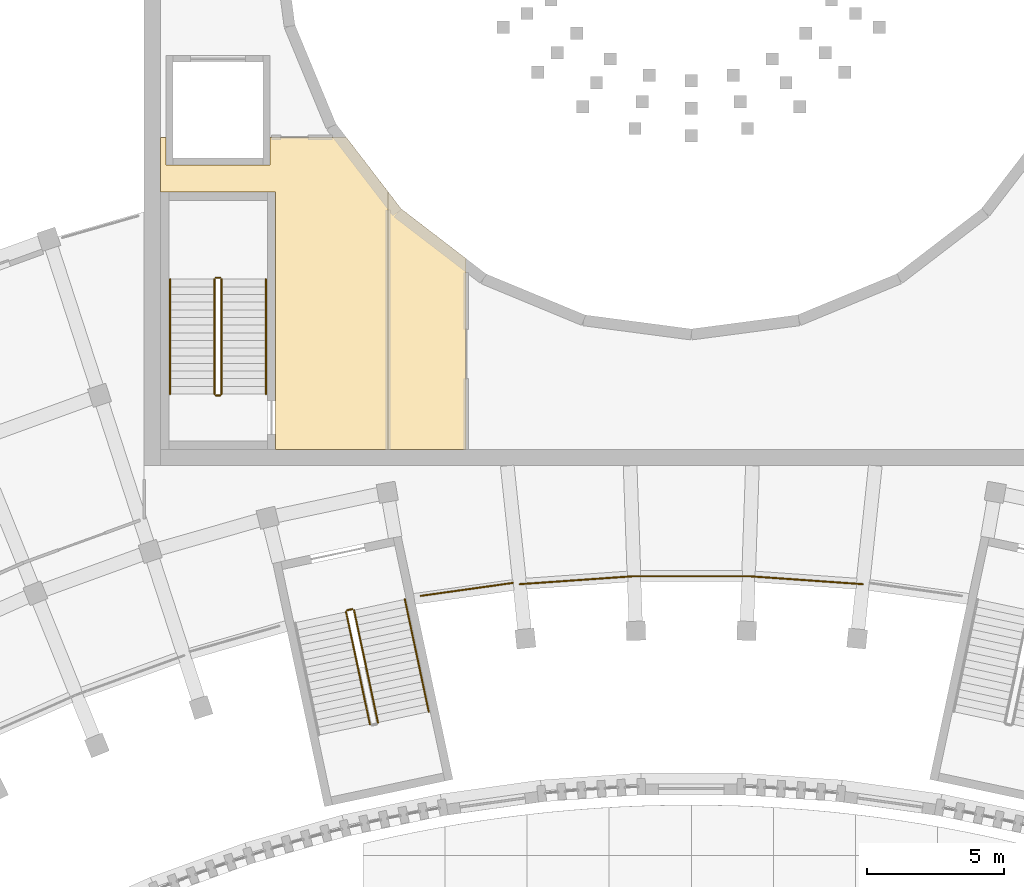
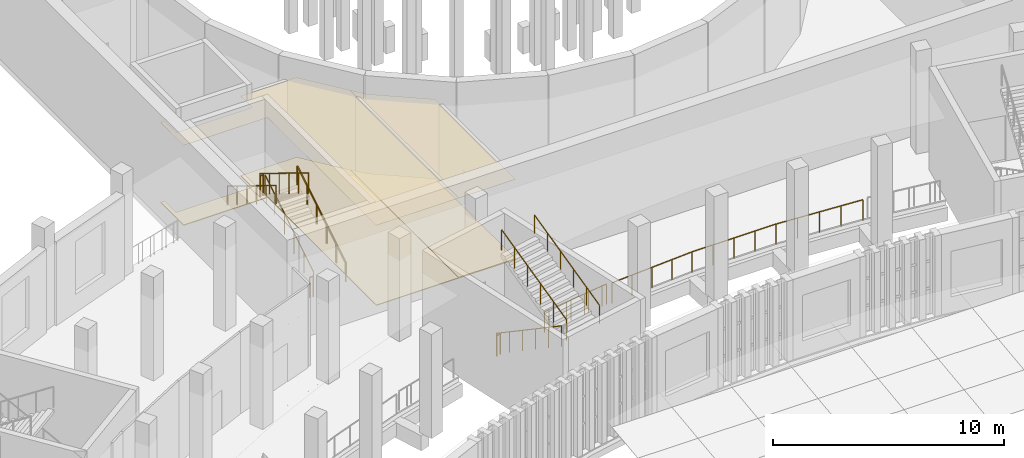
# One storey, part 84 of 112: 12 railings, 4 coverings.
"""IFC4 building model written with IfcOpenShell, lengths in metres."""

from ifc_helpers import new_model, si_unit, direction, frame, origin, origin_2d, place, context, subcontext, project, spatial, polyline, circle, outline, extrude, material, layer, layer_set, type_object, element, save


model = new_model("IFC4")

# Units and contexts
model_context = context("Model", 3, precision=1e-05, world=origin(), true_north=direction((0.0, 1.0)))
body_context = subcontext(model_context, "Body", "Model", "MODEL_VIEW")
ifc_project = project(units=[si_unit("LENGTHUNIT", "METRE"), si_unit("AREAUNIT", "SQUARE_METRE"), si_unit("VOLUMEUNIT", "CUBIC_METRE"), si_unit("PLANEANGLEUNIT", "RADIAN"), si_unit("MASSUNIT", "GRAM", prefix="KILO")], contexts=[model_context])

# Site, building, storey
site_placement = place(None, origin())
site = spatial("IfcSite", under=ifc_project, at=site_placement, CompositionType="ELEMENT")
building_placement = place(site_placement, origin())
building = spatial("IfcBuilding", under=site, at=building_placement, Name="Lunette Opera House", CompositionType="ELEMENT")
storey_placement = place(building_placement, frame((0.0, 0.0, 6.0)))
storey = spatial("IfcBuildingStorey", under=building, at=storey_placement, Name="L01", CompositionType="ELEMENT", Elevation=6.0)

# Railings
ifc_material_1 = material(Name="Steel S355", Category="steel")
railing_type_1 = type_object("IfcRailingType", Name="DECK GUARD 1100", PredefinedType="GUARDRAIL", material=ifc_material_1)
railing_1_placement = place(storey_placement, frame((86.114013671875, 59.243896484375, 0.0)))
element("IfcRailing", 1, at=railing_1_placement, inside=storey, type_object=railing_type_1, Name="Deck guard 013", PredefinedType="GUARDRAIL", context=body_context, shape_type="SweptSolid", body=[
    extrude(circle(Radius=0.02392578125, at=origin_2d()), frame((0.0, 0.0, 1.076171875), z_axis=(0.990009831154, 0.140998348282, 0.0), x_axis=(-0.140998348282, 0.990009831154, 0.0)), (0.0, 0.0, 1.0), 0.242431640625),
    extrude(circle(Radius=0.02392578125, at=origin_2d()), frame((0.239990234375, 0.0341796875, 1.076171875), z_axis=(0.990700927753, 0.136057604524, 0.0), x_axis=(-0.136057604524, 0.990700927753, 0.0)), (0.0, 0.0, 1.0), 0.2421875),
    extrude(circle(Radius=0.02392578125, at=origin_2d()), frame((0.47998046875, 0.067138671875, 1.076171875), z_axis=(0.99012974229, 0.140153820615, 0.0), x_axis=(-0.140153820615, 0.99012974229, 0.0)), (0.0, 0.0, 1.0), 0.72802734375),
    extrude(circle(Radius=0.02392578125, at=origin_2d()), frame((1.200927734375, 0.169189453125, 1.076171875), z_axis=(0.990700927753, 0.136057604524, 0.0), x_axis=(-0.136057604524, 0.990700927753, 0.0)), (0.0, 0.0, 1.0), 0.2421875),
    extrude(circle(Radius=0.02392578125, at=origin_2d()), frame((1.44091796875, 0.2021484375, 1.076171875), z_axis=(0.99012974229, 0.140153820615, 0.0), x_axis=(-0.140153820615, 0.99012974229, 0.0)), (0.0, 0.0, 1.0), 0.72802734375),
    extrude(circle(Radius=0.02392578125, at=origin_2d()), frame((2.161865234375, 0.30419921875, 1.076171875), z_axis=(0.990719556542, 0.135921890379, 0.0), x_axis=(-0.135921890379, 0.990719556542, 0.0)), (0.0, 0.0, 1.0), 0.242431640625),
    extrude(circle(Radius=0.02392578125, at=origin_2d()), frame((2.402099609375, 0.337158203125, 1.076171875), z_axis=(0.9901033447, 0.140340182463, 0.0), x_axis=(-0.140340182463, 0.9901033447, 0.0)), (0.0, 0.0, 1.0), 0.72705078125),
    extrude(circle(Radius=0.02392578125, at=origin_2d()), frame((3.1220703125, 0.439208984375, 1.076171875), z_axis=(0.990775109816, 0.135516352406, 0.0), x_axis=(-0.135516352406, 0.990775109816, 0.0)), (0.0, 0.0, 1.0), 0.2431640625),
    extrude(circle(Radius=0.02099609375, at=origin_2d()), origin(), (0.0, 0.0, 1.0), 1.052001953125),
    extrude(circle(Radius=0.02099609375, at=origin_2d()), frame((0.239990234375, 0.0341796875, 0.0)), (0.0, 0.0, 1.0), 1.052001953125),
    extrude(circle(Radius=0.02099609375, at=origin_2d()), frame((0.47998046875, 0.067138671875, 0.0)), (0.0, 0.0, 1.0), 1.052001953125),
    extrude(circle(Radius=0.02099609375, at=origin_2d()), frame((1.200927734375, 0.169189453125, 0.0)), (0.0, 0.0, 1.0), 1.052001953125),
    extrude(circle(Radius=0.02099609375, at=origin_2d()), frame((1.44091796875, 0.2021484375, 0.0)), (0.0, 0.0, 1.0), 1.052001953125),
    extrude(circle(Radius=0.02099609375, at=origin_2d()), frame((2.161865234375, 0.30419921875, 0.0)), (0.0, 0.0, 1.0), 1.052001953125),
    extrude(circle(Radius=0.02099609375, at=origin_2d()), frame((2.402099609375, 0.337158203125, 0.0)), (0.0, 0.0, 1.0), 1.052001953125),
    extrude(circle(Radius=0.02099609375, at=origin_2d()), frame((3.1220703125, 0.439208984375, 0.0)), (0.0, 0.0, 1.0), 1.052001953125),
    extrude(circle(Radius=0.02099609375, at=origin_2d()), frame((3.363037109375, 0.47216796875, 0.0)), (0.0, 0.0, 1.0), 1.052001953125),
])
ifc_material_2 = material(Name="Steel S355", Category="steel")
railing_type_2 = type_object("IfcRailingType", Name="OPENING GUARD 1100", PredefinedType="GUARDRAIL", material=ifc_material_2)
railing_2_placement = place(storey_placement, frame((102.27197265625, 59.6708984375, 0.0)))
element("IfcRailing", 2, at=railing_2_placement, inside=storey, type_object=railing_type_2, Name="Floor opening guard", PredefinedType="GUARDRAIL", context=body_context, shape_type="SweptSolid", body=[
    extrude(circle(Radius=0.02392578125, at=origin_2d()), frame((0.0, 0.0, 1.076171875), z_axis=(-0.997566716749, 0.069718330698, 0.0), x_axis=(-0.069718330698, -0.997566716749, 0.0)), (0.0, 0.0, 1.0), 4.188232421875),
    extrude(circle(Radius=0.02392578125, at=origin_2d()), frame((-4.177978515625, 0.2919921875, 1.076171875), z_axis=(-1.0, 0.0, 0.0), x_axis=(0.0, -1.0, 0.0)), (0.0, 0.0, 1.0), 4.18798828125),
    extrude(circle(Radius=0.02392578125, at=origin_2d()), frame((-8.365966796875, 0.2919921875, 1.076171875), z_axis=(-0.997566716749, -0.069718330698, 0.0), x_axis=(0.069718330698, -0.997566716749, 0.0)), (0.0, 0.0, 1.0), 4.188232421875),
    extrude(circle(Radius=0.02099609375, at=origin_2d()), origin(), (0.0, 0.0, 1.0), 1.052001953125),
    extrude(circle(Radius=0.02099609375, at=origin_2d()), frame((-1.04443359375, 0.072998046875, 0.0)), (0.0, 0.0, 1.0), 1.052001953125),
    extrude(circle(Radius=0.02099609375, at=origin_2d()), frame((-2.0888671875, 0.14599609375, 0.0)), (0.0, 0.0, 1.0), 1.052001953125),
    extrude(circle(Radius=0.02099609375, at=origin_2d()), frame((-3.133544921875, 0.218994140625, 0.0)), (0.0, 0.0, 1.0), 1.052001953125),
    extrude(circle(Radius=0.02099609375, at=origin_2d()), frame((-4.177978515625, 0.2919921875, 0.0)), (0.0, 0.0, 1.0), 1.052001953125),
    extrude(circle(Radius=0.02099609375, at=origin_2d()), frame((-5.22509765625, 0.2919921875, 0.0)), (0.0, 0.0, 1.0), 1.052001953125),
    extrude(circle(Radius=0.02099609375, at=origin_2d()), frame((-6.27197265625, 0.2919921875, 0.0)), (0.0, 0.0, 1.0), 1.052001953125),
    extrude(circle(Radius=0.02099609375, at=origin_2d()), frame((-7.31884765625, 0.2919921875, 0.0)), (0.0, 0.0, 1.0), 1.052001953125),
    extrude(circle(Radius=0.02099609375, at=origin_2d()), frame((-8.365966796875, 0.2919921875, 0.0)), (0.0, 0.0, 1.0), 1.052001953125),
    extrude(circle(Radius=0.02099609375, at=origin_2d()), frame((-9.410400390625, 0.218994140625, 0.0)), (0.0, 0.0, 1.0), 1.052001953125),
    extrude(circle(Radius=0.02099609375, at=origin_2d()), frame((-10.455078125, 0.14599609375, 0.0)), (0.0, 0.0, 1.0), 1.052001953125),
    extrude(circle(Radius=0.02099609375, at=origin_2d()), frame((-11.49951171875, 0.072998046875, 0.0)), (0.0, 0.0, 1.0), 1.052001953125),
    extrude(circle(Radius=0.02099609375, at=origin_2d()), frame((-12.5439453125, 0.0, 0.0)), (0.0, 0.0, 1.0), 1.052001953125),
])
ifc_material_3 = material(Name="Steel S355", Category="steel")
railing_type_3 = type_object("IfcRailingType", Name="STAIR GUARD 1100", PredefinedType="GUARDRAIL", material=ifc_material_3)
railing_3_placement = place(storey_placement, frame((83.37890625, 58.658203125, 0.171875)))
element("IfcRailing", 3, at=railing_3_placement, inside=storey, type_object=railing_type_3, Name="L01 GS1 stair guard 1", PredefinedType="GUARDRAIL", context=body_context, shape_type="SweptSolid", body=[
    extrude(circle(Radius=0.02392578125, at=origin_2d()), frame((0.0, 0.0, 1.076171875), z_axis=(0.177198647293, -0.833631209573, 0.523124885494), x_axis=(0.978146440129, 0.207917150959, 0.0)), (0.0, 0.0, 1.0), 4.92822265625),
    extrude(circle(Radius=0.02099609375, at=origin_2d()), origin(), (0.0, 0.0, 1.0), 1.052001953125),
    extrude(circle(Radius=0.02099609375, at=origin_2d()), frame((0.174560546875, -0.82177734375, 0.515625)), (0.0, 0.0, 1.0), 1.052001953125),
    extrude(circle(Radius=0.02099609375, at=origin_2d()), frame((0.349365234375, -1.643310546875, 1.03125)), (0.0, 0.0, 1.0), 1.052001953125),
    extrude(circle(Radius=0.02099609375, at=origin_2d()), frame((0.52392578125, -2.465087890625, 1.546875)), (0.0, 0.0, 1.0), 1.052001953125),
    extrude(circle(Radius=0.02099609375, at=origin_2d()), frame((0.69873046875, -3.28662109375, 2.0625)), (0.0, 0.0, 1.0), 1.052001953125),
    extrude(circle(Radius=0.02099609375, at=origin_2d()), frame((0.873291015625, -4.1083984375, 2.578125)), (0.0, 0.0, 1.0), 1.052001953125),
])
railing_4_placement = place(storey_placement, frame((84.54541015625, 54.6123046875, 2.921875)))
element("IfcRailing", 4, at=railing_4_placement, inside=storey, type_object=railing_type_3, Name="L01 GS1 stair guard 3", PredefinedType="GUARDRAIL", context=body_context, shape_type="SweptSolid", body=[
    extrude(circle(Radius=0.02392578125, at=origin_2d()), frame((0.0, 0.0, 1.076171875), z_axis=(-0.177157979895, 0.833623413786, 0.52315108157), x_axis=(-0.978155748334, -0.207873355681, 0.0)), (0.0, 0.0, 1.0), 4.927978515625),
    extrude(circle(Radius=0.02099609375, at=origin_2d()), origin(), (0.0, 0.0, 1.0), 1.052001953125),
    extrude(circle(Radius=0.02099609375, at=origin_2d()), frame((-0.174560546875, 0.821533203125, 0.515625)), (0.0, 0.0, 1.0), 1.052001953125),
    extrude(circle(Radius=0.02099609375, at=origin_2d()), frame((-0.34912109375, 1.643310546875, 1.03125)), (0.0, 0.0, 1.0), 1.052001953125),
    extrude(circle(Radius=0.02099609375, at=origin_2d()), frame((-0.52392578125, 2.46484375, 1.546875)), (0.0, 0.0, 1.0), 1.052001953125),
    extrude(circle(Radius=0.02099609375, at=origin_2d()), frame((-0.698486328125, 3.28662109375, 2.0625)), (0.0, 0.0, 1.0), 1.052001953125),
    extrude(circle(Radius=0.02099609375, at=origin_2d()), frame((-0.873046875, 4.108154296875, 2.578125)), (0.0, 0.0, 1.0), 1.052001953125),
])
railing_5_placement = place(storey_placement, frame((83.41748046875, 58.717529296875, 0.0)))
element("IfcRailing", 5, at=railing_5_placement, inside=storey, type_object=railing_type_3, Name="L01 GS1 stair guard 4", PredefinedType="GUARDRAIL", context=body_context, shape_type="SweptSolid", body=[
    extrude(circle(Radius=0.02392578125, at=origin_2d()), frame((0.0, 0.0, 1.076171875), z_axis=(0.978211583308, 0.207610448392, 0.0), x_axis=(-0.207610448392, 0.978211583308, 0.0)), (0.0, 0.0, 1.0), 0.199951171875),
    extrude(circle(Radius=0.02099609375, at=origin_2d()), origin(), (0.0, 0.0, 1.0), 1.052001953125),
    extrude(circle(Radius=0.02099609375, at=origin_2d()), frame((0.195556640625, 0.04150390625, 0.0)), (0.0, 0.0, 1.0), 1.052001953125),
])
railing_6_placement = place(storey_placement, frame((78.830078125, 66.6201171875, 0.171875)))
element("IfcRailing", 6, at=railing_6_placement, inside=storey, type_object=railing_type_3, Name="L01 ST7 stair guard 1", PredefinedType="GUARDRAIL", context=body_context, shape_type="SweptSolid", body=[
    extrude(circle(Radius=0.02392578125, at=origin_2d()), frame((0.0, 0.0, 1.076171875), z_axis=(0.0, 0.852242915053, 0.523146264196), x_axis=(-1.0, 0.0, 0.0)), (0.0, 0.0, 1.0), 4.92822265625),
    extrude(circle(Radius=0.02099609375, at=origin_2d()), origin(), (0.0, 0.0, 1.0), 1.052001953125),
    extrude(circle(Radius=0.02099609375, at=origin_2d()), frame((0.0, 0.840087890625, 0.515625)), (0.0, 0.0, 1.0), 1.052001953125),
    extrude(circle(Radius=0.02099609375, at=origin_2d()), frame((0.0, 1.679931640625, 1.03125)), (0.0, 0.0, 1.0), 1.052001953125),
    extrude(circle(Radius=0.02099609375, at=origin_2d()), frame((0.0, 2.52001953125, 1.546875)), (0.0, 0.0, 1.0), 1.052001953125),
    extrude(circle(Radius=0.02099609375, at=origin_2d()), frame((0.0, 3.35986328125, 2.0625)), (0.0, 0.0, 1.0), 1.052001953125),
    extrude(circle(Radius=0.02099609375, at=origin_2d()), frame((0.0, 4.199951171875, 2.578125)), (0.0, 0.0, 1.0), 1.052001953125),
])
railing_7_placement = place(storey_placement, frame((78.780029296875, 70.8701171875, 2.75)))
element("IfcRailing", 7, at=railing_7_placement, inside=storey, type_object=railing_type_3, Name="L01 ST7 stair guard 2", PredefinedType="GUARDRAIL", context=body_context, shape_type="SweptSolid", body=[
    extrude(circle(Radius=0.02392578125, at=origin_2d()), frame((0.0, 0.0, 1.076171875), z_axis=(-1.0, 0.0, 0.0), x_axis=(0.0, -1.0, 0.0)), (0.0, 0.0, 1.0), 0.159912109375),
    extrude(circle(Radius=0.02099609375, at=origin_2d()), origin(), (0.0, 0.0, 1.0), 1.052001953125),
    extrude(circle(Radius=0.02099609375, at=origin_2d()), frame((-0.159912109375, 0.0, 0.0)), (0.0, 0.0, 1.0), 1.052001953125),
])
railing_8_placement = place(storey_placement, frame((78.570068359375, 70.820068359375, 2.921875)))
element("IfcRailing", 8, at=railing_8_placement, inside=storey, type_object=railing_type_3, Name="L01 ST7 stair guard 3", PredefinedType="GUARDRAIL", context=body_context, shape_type="SweptSolid", body=[
    extrude(circle(Radius=0.02392578125, at=origin_2d()), frame((0.0, 0.0, 1.076171875), z_axis=(0.0, -0.852242915053, 0.523146264196), x_axis=(1.0, 0.0, 0.0)), (0.0, 0.0, 1.0), 4.92822265625),
    extrude(circle(Radius=0.02099609375, at=origin_2d()), origin(), (0.0, 0.0, 1.0), 1.052001953125),
    extrude(circle(Radius=0.02099609375, at=origin_2d()), frame((0.0, -0.840087890625, 0.515625)), (0.0, 0.0, 1.0), 1.052001953125),
    extrude(circle(Radius=0.02099609375, at=origin_2d()), frame((0.0, -1.679931640625, 1.03125)), (0.0, 0.0, 1.0), 1.052001953125),
    extrude(circle(Radius=0.02099609375, at=origin_2d()), frame((0.0, -2.52001953125, 1.546875)), (0.0, 0.0, 1.0), 1.052001953125),
    extrude(circle(Radius=0.02099609375, at=origin_2d()), frame((0.0, -3.35986328125, 2.0625)), (0.0, 0.0, 1.0), 1.052001953125),
    extrude(circle(Radius=0.02099609375, at=origin_2d()), frame((0.0, -4.199951171875, 2.578125)), (0.0, 0.0, 1.0), 1.052001953125),
])
railing_9_placement = place(storey_placement, frame((78.780029296875, 66.570068359375, 0.0)))
element("IfcRailing", 9, at=railing_9_placement, inside=storey, type_object=railing_type_3, Name="L01 ST7 stair guard 4", PredefinedType="GUARDRAIL", context=body_context, shape_type="SweptSolid", body=[
    extrude(circle(Radius=0.02392578125, at=origin_2d()), frame((0.0, 0.0, 1.076171875), z_axis=(-1.0, 0.0, 0.0), x_axis=(0.0, -1.0, 0.0)), (0.0, 0.0, 1.0), 0.159912109375),
    extrude(circle(Radius=0.02099609375, at=origin_2d()), origin(), (0.0, 0.0, 1.0), 1.052001953125),
    extrude(circle(Radius=0.02099609375, at=origin_2d()), frame((-0.159912109375, 0.0, 0.0)), (0.0, 0.0, 1.0), 1.052001953125),
])
ifc_material_4 = material(Name="Steel S355", Category="steel")
railing_type_4 = type_object("IfcRailingType", Name="STAIR HANDRAIL 1000", PredefinedType="HANDRAIL", material=ifc_material_4)
railing_10_placement = place(storey_placement, frame((86.404052734375, 55.00732421875, 2.921875)))
element("IfcRailing", 10, at=railing_10_placement, inside=storey, type_object=railing_type_4, Name="L01 GS1 stair handrail 2", PredefinedType="HANDRAIL", context=body_context, shape_type="SweptSolid", body=[
    extrude(circle(Radius=0.02392578125, at=origin_2d()), frame((0.0, 0.0, 0.97607421875), z_axis=(-0.177205965249, 0.83361609652, 0.523146489526), x_axis=(-0.978143927149, -0.207928972925, 0.0)), (0.0, 0.0, 1.0), 4.92822265625),
    extrude(circle(Radius=0.02099609375, at=origin_2d()), origin(), (0.0, 0.0, 1.0), 0.951904296875),
    extrude(circle(Radius=0.02099609375, at=origin_2d()), frame((-0.174560546875, 0.821533203125, 0.515625)), (0.0, 0.0, 1.0), 0.951904296875),
    extrude(circle(Radius=0.02099609375, at=origin_2d()), frame((-0.349365234375, 1.643310546875, 1.03125)), (0.0, 0.0, 1.0), 0.951904296875),
    extrude(circle(Radius=0.02099609375, at=origin_2d()), frame((-0.52392578125, 2.46484375, 1.546875)), (0.0, 0.0, 1.0), 0.951904296875),
    extrude(circle(Radius=0.02099609375, at=origin_2d()), frame((-0.69873046875, 3.28662109375, 2.0625)), (0.0, 0.0, 1.0), 0.951904296875),
    extrude(circle(Radius=0.02099609375, at=origin_2d()), frame((-0.873291015625, 4.108154296875, 2.578125)), (0.0, 0.0, 1.0), 0.951904296875),
])
railing_11_placement = place(storey_placement, frame((80.449951171875, 66.6201171875, 0.171875)))
element("IfcRailing", 11, at=railing_11_placement, inside=storey, type_object=railing_type_4, Name="L01 ST7 stair handrail 1", PredefinedType="HANDRAIL", context=body_context, shape_type="SweptSolid", body=[
    extrude(circle(Radius=0.02392578125, at=origin_2d()), frame((0.0, 0.0, 0.97607421875), z_axis=(0.0, 0.852242915053, 0.523146264196), x_axis=(-1.0, 0.0, 0.0)), (0.0, 0.0, 1.0), 4.92822265625),
    extrude(circle(Radius=0.02099609375, at=origin_2d()), origin(), (0.0, 0.0, 1.0), 0.951904296875),
    extrude(circle(Radius=0.02099609375, at=origin_2d()), frame((0.0, 0.840087890625, 0.515625)), (0.0, 0.0, 1.0), 0.951904296875),
    extrude(circle(Radius=0.02099609375, at=origin_2d()), frame((0.0, 1.679931640625, 1.03125)), (0.0, 0.0, 1.0), 0.951904296875),
    extrude(circle(Radius=0.02099609375, at=origin_2d()), frame((0.0, 2.52001953125, 1.546875)), (0.0, 0.0, 1.0), 0.951904296875),
    extrude(circle(Radius=0.02099609375, at=origin_2d()), frame((0.0, 3.35986328125, 2.0625)), (0.0, 0.0, 1.0), 0.951904296875),
    extrude(circle(Radius=0.02099609375, at=origin_2d()), frame((0.0, 4.199951171875, 2.578125)), (0.0, 0.0, 1.0), 0.951904296875),
])
railing_12_placement = place(storey_placement, frame((76.949951171875, 70.820068359375, 2.921875)))
element("IfcRailing", 12, at=railing_12_placement, inside=storey, type_object=railing_type_4, Name="L01 ST7 stair handrail 2", PredefinedType="HANDRAIL", context=body_context, shape_type="SweptSolid", body=[
    extrude(circle(Radius=0.02392578125, at=origin_2d()), frame((0.0, 0.0, 0.97607421875), z_axis=(0.0, -0.852242915053, 0.523146264196), x_axis=(1.0, 0.0, 0.0)), (0.0, 0.0, 1.0), 4.92822265625),
    extrude(circle(Radius=0.02099609375, at=origin_2d()), origin(), (0.0, 0.0, 1.0), 0.951904296875),
    extrude(circle(Radius=0.02099609375, at=origin_2d()), frame((0.0, -0.840087890625, 0.515625)), (0.0, 0.0, 1.0), 0.951904296875),
    extrude(circle(Radius=0.02099609375, at=origin_2d()), frame((0.0, -1.679931640625, 1.03125)), (0.0, 0.0, 1.0), 0.951904296875),
    extrude(circle(Radius=0.02099609375, at=origin_2d()), frame((0.0, -2.52001953125, 1.546875)), (0.0, 0.0, 1.0), 0.951904296875),
    extrude(circle(Radius=0.02099609375, at=origin_2d()), frame((0.0, -3.35986328125, 2.0625)), (0.0, 0.0, 1.0), 0.951904296875),
    extrude(circle(Radius=0.02099609375, at=origin_2d()), frame((0.0, -4.199951171875, 2.578125)), (0.0, 0.0, 1.0), 0.951904296875),
])

# Coverings
ifc_material_5 = material(Name="Mineral fibre board")
ifc_layer_1 = layer(ifc_material_5, 0.014892578125)
ifc_layer_set_1 = layer_set([ifc_layer_1], Name="Mineral fibre board")
covering_type_1 = type_object("IfcCoveringType", Name="SUSPENDED ACOUSTIC CEILING 15", PredefinedType="CEILING", material=ifc_layer_set_1)
covering_1_placement = place(storey_placement, frame((0.0, 0.0, 4.235107421875)))
element("IfcCovering", 13, at=covering_1_placement, inside=storey, type_object=covering_type_1, Name="Ceiling Auditorium Control Room", PredefinedType="CEILING", context=body_context, shape_type="SweptSolid", body=[
    extrude(outline(polyline([(76.60009765625, 74.0), (76.60009765625, 76.0), (76.800048828125, 76.0), (76.800048828125, 75.0), (80.60009765625, 75.0), (80.60009765625, 76.0), (83.39306640625, 76.0), (84.9150390625, 74.01708984375), (84.9150390625, 64.60009765625), (80.800048828125, 64.60009765625), (80.800048828125, 74.0), (76.60009765625, 74.0)])), origin(), (0.0, 0.0, 1.0), 0.014892578125),
])
covering_2_placement = place(storey_placement, frame((0.0, 0.0, 4.235107421875)))
element("IfcCovering", 14, at=covering_2_placement, inside=storey, type_object=covering_type_1, Name="Ceiling Stalls Gallery Foyer Rear", PredefinedType="CEILING", context=body_context, shape_type="SweptSolid", body=[
    extrude(outline(polyline([(87.763916015625, 71.573974609375), (87.763916015625, 64.60009765625), (84.9150390625, 64.60009765625), (84.9150390625, 74.01611328125), (85.39306640625, 73.39306640625), (87.763916015625, 71.573974609375)])), origin(), (0.0, 0.0, 1.0), 0.014892578125),
])
ifc_material_6 = material(Name="Terrazzo")
ifc_layer_2 = layer(ifc_material_6, 0.06005859375)
ifc_layer_set_2 = layer_set([ifc_layer_2], Name="Terrazzo")
covering_type_2 = type_object("IfcCoveringType", Name="TERRAZZO FLOOR FINISH 60", PredefinedType="FLOORING", material=ifc_layer_set_2)
covering_3_placement = place(storey_placement, origin())
element("IfcCovering", 15, at=covering_3_placement, inside=storey, type_object=covering_type_2, Name="Floor finish Stalls Gallery Foyer Rear", PredefinedType="FLOORING", context=body_context, shape_type="SweptSolid", body=[
    extrude(outline(polyline([(87.763916015625, 71.573974609375), (87.763916015625, 64.60009765625), (84.9150390625, 64.60009765625), (84.9150390625, 74.01611328125), (85.39306640625, 73.39306640625), (87.763916015625, 71.573974609375)])), origin(), (0.0, 0.0, 1.0), 0.06005859375),
])
ifc_material_7 = material(Name="Timber", Category="wood")
ifc_layer_3 = layer(ifc_material_7, 0.0400390625)
ifc_layer_set_3 = layer_set([ifc_layer_3], Name="Timber")
covering_type_3 = type_object("IfcCoveringType", Name="TIMBER FLOOR FINISH 40", PredefinedType="FLOORING", material=ifc_layer_set_3)
covering_4_placement = place(storey_placement, origin())
element("IfcCovering", 16, at=covering_4_placement, inside=storey, type_object=covering_type_3, Name="Floor finish Auditorium Control Room", PredefinedType="FLOORING", context=body_context, shape_type="SweptSolid", body=[
    extrude(outline(polyline([(76.60009765625, 74.0), (76.60009765625, 76.0), (76.800048828125, 76.0), (76.800048828125, 75.0), (80.60009765625, 75.0), (80.60009765625, 76.0), (83.39306640625, 76.0), (84.9150390625, 74.01708984375), (84.9150390625, 64.60009765625), (80.800048828125, 64.60009765625), (80.800048828125, 74.0), (76.60009765625, 74.0)])), origin(), (0.0, 0.0, 1.0), 0.0400390625),
])

save(model, "model.ifc")
